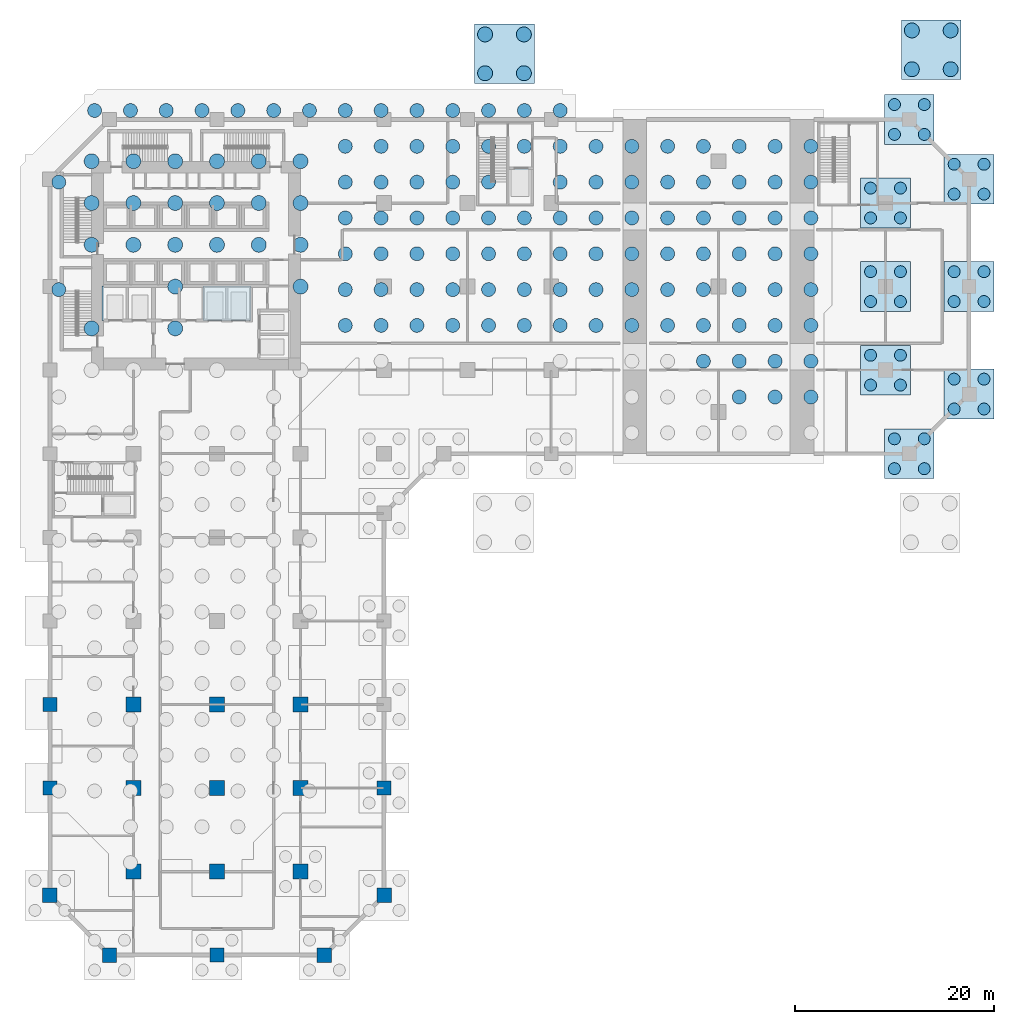
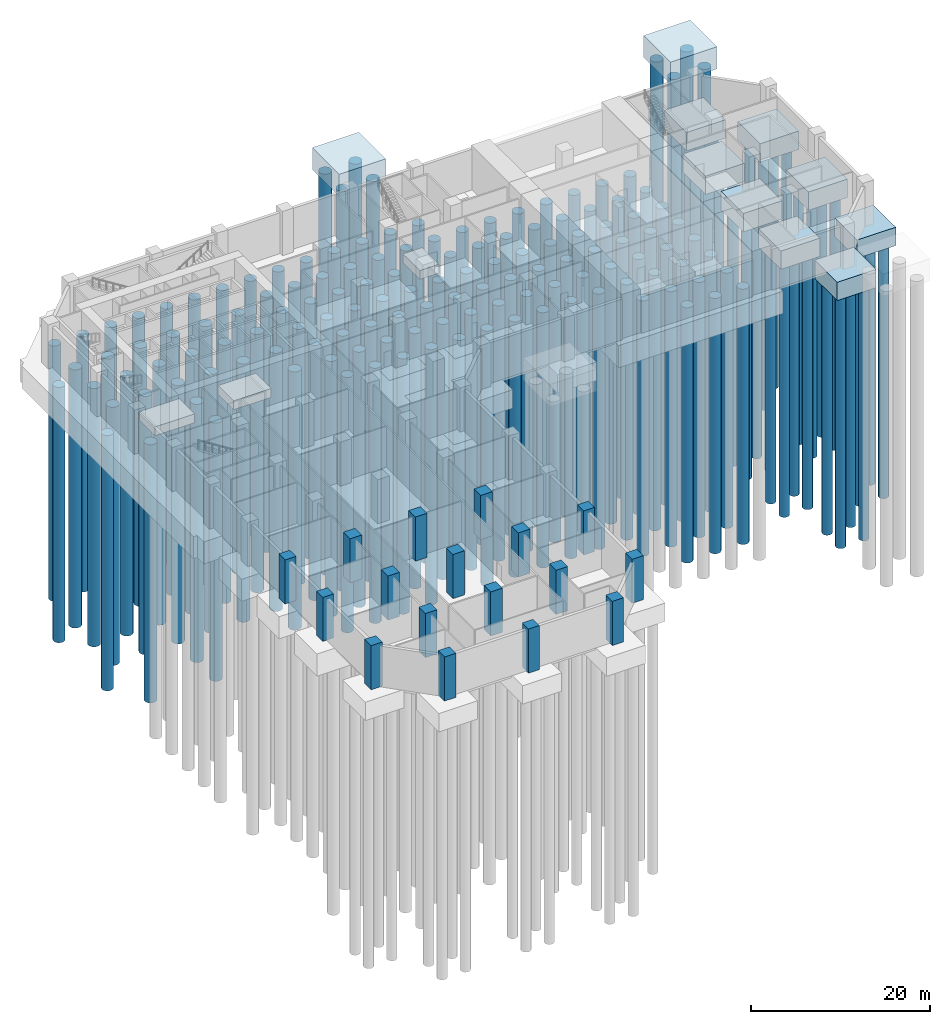
# One storey, part 2 of 13: 168 piles, 17 columns, 13 footings.
"""IFC4 building model written with IfcOpenShell, lengths in metres."""

from ifc_helpers import new_model, si_unit, direction, frame, origin, origin_2d, place, context, subcontext, project, spatial, polyline, rectangle, circle, outline, extrude, material, layer, layer_set, material_profile, profile_set, type_object, element, save


model = new_model("IFC4")

# Units and contexts
model_context = context("Model", 3, precision=1e-05, world=origin(), true_north=direction((0.0, 1.0)))
body_context = subcontext(model_context, "Body", "Model", "MODEL_VIEW")
ifc_project = project(units=[si_unit("LENGTHUNIT", "METRE"), si_unit("AREAUNIT", "SQUARE_METRE"), si_unit("VOLUMEUNIT", "CUBIC_METRE"), si_unit("PLANEANGLEUNIT", "RADIAN"), si_unit("MASSUNIT", "GRAM", prefix="KILO")], contexts=[model_context])

# Site, building, storey
site_placement = place(None, origin())
site = spatial("IfcSite", under=ifc_project, at=site_placement, CompositionType="ELEMENT")
building_placement = place(site_placement, origin())
building = spatial("IfcBuilding", under=site, at=building_placement, Name="Kawkab Arch Medical Tower", CompositionType="ELEMENT")
storey_placement = place(building_placement, frame((0.0, 0.0, -6.0)))
storey = spatial("IfcBuildingStorey", under=building, at=storey_placement, Name="B1", CompositionType="ELEMENT", Elevation=-6.0)

# Piles
ifc_material_1 = material(Name="Concrete C35/45", Category="concrete")
ifc_material_profile_1 = material_profile(ifc_material_1, circle(Radius=0.60009765625, at=origin_2d()), Name="Bored pile D1200")
ifc_profile_set_1 = profile_set([ifc_material_profile_1], Name="Concrete C35/45")
pile_type_1 = type_object("IfcPileType", Name="Bored pile D1200 C35/45", PredefinedType="BORED", material=ifc_profile_set_1)
for number, where, z_axis, x_axis, name in (
    (1, (84.89990234375, -1.5, -2.35009765625), (0.0, 0.0, -1.0), (1.0, 0.0, 0.0), "Pile 227"),
    (2, (84.89990234375, 1.5, -2.35009765625), (0.0, 0.0, -1.0), (1.0, 0.0, 0.0), "Pile 228"),
    (3, (87.89990234375, -1.5, -2.35009765625), (0.0, 0.0, -1.0), (1.0, 0.0, 0.0), "Pile 229"),
    (4, (87.89990234375, 1.5, -2.35009765625), (0.0, 0.0, -1.0), (1.0, 0.0, 0.0), "Pile 230"),
    (5, (90.89990234375, -7.5, -2.35009765625), (0.0, 0.0, -1.0), (1.0, 0.0, 0.0), "Pile 231"),
    (6, (90.89990234375, -4.5, -2.35009765625), (0.0, 0.0, -1.0), (1.0, 0.0, 0.0), "Pile 232"),
    (7, (93.89990234375, -7.5, -2.35009765625), (0.0, 0.0, -1.0), (1.0, 0.0, 0.0), "Pile 233"),
    (8, (93.89990234375, -4.5, -2.35009765625), (0.0, 0.0, -1.0), (1.0, 0.0, 0.0), "Pile 234"),
    (9, (82.5, -9.89990234375, -2.35009765625), (0.0, 0.0, -1.0), (1.0, 0.0, 0.0), "Pile 235"),
    (10, (82.5, -6.89990234375, -2.35009765625), (0.0, 0.0, -1.0), (1.0, 0.0, 0.0), "Pile 236"),
    (11, (85.5, -9.89990234375, -2.35009765625), (0.0, 0.0, -1.0), (1.0, 0.0, 0.0), "Pile 237"),
    (12, (85.5, -6.89990234375, -2.35009765625), (0.0, 0.0, -1.0), (1.0, 0.0, 0.0), "Pile 238"),
    (13, (82.5, -18.300048828125, -2.35009765625), (0.0, 0.0, -1.0), (1.0, 0.0, 0.0), "Pile 239"),
    (14, (82.5, -15.300048828125, -2.35009765625), (0.0, 0.0, -1.0), (1.0, 0.0, 0.0), "Pile 240"),
    (15, (85.5, -18.300048828125, -2.35009765625), (0.0, 0.0, -1.0), (1.0, 0.0, 0.0), "Pile 241"),
    (16, (85.5, -15.300048828125, -2.35009765625), (0.0, 0.0, -1.0), (1.0, 0.0, 0.0), "Pile 242"),
    (17, (90.89990234375, -18.300048828125, -2.35009765625), (0.0, 0.0, -1.0), (1.0, 0.0, 0.0), "Pile 243"),
    (18, (90.89990234375, -15.300048828125, -2.35009765625), (0.0, 0.0, -1.0), (1.0, 0.0, 0.0), "Pile 244"),
    (19, (93.89990234375, -18.300048828125, -2.35009765625), (0.0, 0.0, -1.0), (1.0, 0.0, 0.0), "Pile 245"),
    (20, (93.89990234375, -15.300048828125, -2.35009765625), (0.0, 0.0, -1.0), (1.0, 0.0, 0.0), "Pile 246"),
    (21, (82.5, -26.699951171875, -2.35009765625), (0.0, 0.0, -1.0), (1.0, 0.0, 0.0), "Pile 247"),
    (22, (82.5, -23.699951171875, -2.35009765625), (0.0, 0.0, -1.0), (1.0, 0.0, 0.0), "Pile 248"),
    (23, (85.5, -26.699951171875, -2.35009765625), (0.0, 0.0, -1.0), (1.0, 0.0, 0.0), "Pile 249"),
    (24, (85.5, -23.699951171875, -2.35009765625), (0.0, 0.0, -1.0), (1.0, 0.0, 0.0), "Pile 250"),
    (25, (90.89990234375, -29.10009765625, -2.35009765625), (0.0, 0.0, -1.0), (1.0, 0.0, 0.0), "Pile 251"),
    (26, (90.89990234375, -26.10009765625, -2.35009765625), (0.0, 0.0, -1.0), (1.0, 0.0, 0.0), "Pile 252"),
    (27, (93.89990234375, -29.10009765625, -2.35009765625), (0.0, 0.0, -1.0), (1.0, 0.0, 0.0), "Pile 253"),
    (28, (93.89990234375, -26.10009765625, -2.35009765625), (0.0, 0.0, -1.0), (1.0, 0.0, 0.0), "Pile 254"),
    (29, (84.89990234375, -35.10009765625, -2.35009765625), (0.0, 0.0, -1.0), (1.0, 0.0, 0.0), "Pile 267"),
    (30, (84.89990234375, -32.10009765625, -2.35009765625), (0.0, 0.0, -1.0), (1.0, 0.0, 0.0), "Pile 268"),
    (31, (87.89990234375, -35.10009765625, -2.35009765625), (0.0, 0.0, -1.0), (1.0, 0.0, 0.0), "Pile 269"),
    (32, (87.89990234375, -32.10009765625, -2.35009765625), (0.0, 0.0, -1.0), (1.0, 0.0, 0.0), "Pile 270"),
):
    element("IfcPile", number, at=place(storey_placement, frame(where, z_axis=z_axis, x_axis=x_axis)), inside=storey, type_object=pile_type_1, Name=name, PredefinedType="BORED", context=body_context, shape_type="SweptSolid", body=[
        extrude(circle(Radius=0.60009765625, at=origin_2d()), origin(), (0.0, 0.0, 1.0), 34.449951171875),
    ])
ifc_material_2 = material(Name="Concrete C35/45", Category="concrete")
ifc_material_profile_2 = material_profile(ifc_material_2, circle(Radius=0.699951171875, at=origin_2d()), Name="Bored pile D1400")
ifc_profile_set_2 = profile_set([ifc_material_profile_2], Name="Concrete C35/45")
pile_type_2 = type_object("IfcPileType", Name="Bored pile D1400 C35/45", PredefinedType="BORED", material=ifc_profile_set_2)
for number, where, z_axis, x_axis, name in (
    (33, (4.5, 0.89990234375, -2.85009765625), (0.0, 0.0, -1.0), (1.0, 0.0, 0.0), "Pile 028"),
    (34, (8.10009765625, 0.89990234375, -2.85009765625), (0.0, 0.0, -1.0), (1.0, 0.0, 0.0), "Pile 029"),
    (35, (11.699951171875, 0.89990234375, -2.85009765625), (0.0, 0.0, -1.0), (1.0, 0.0, 0.0), "Pile 030"),
    (36, (15.300048828125, 0.89990234375, -2.85009765625), (0.0, 0.0, -1.0), (1.0, 0.0, 0.0), "Pile 031"),
    (37, (18.89990234375, 0.89990234375, -2.85009765625), (0.0, 0.0, -1.0), (1.0, 0.0, 0.0), "Pile 032"),
    (38, (22.5, 0.89990234375, -2.85009765625), (0.0, 0.0, -1.0), (1.0, 0.0, 0.0), "Pile 033"),
    (39, (26.10009765625, 0.89990234375, -2.85009765625), (0.0, 0.0, -1.0), (1.0, 0.0, 0.0), "Pile 034"),
    (40, (29.699951171875, 0.89990234375, -2.85009765625), (0.0, 0.0, -1.0), (1.0, 0.0, 0.0), "Pile 035"),
    (41, (33.300048828125, 0.89990234375, -2.85009765625), (0.0, 0.0, -1.0), (1.0, 0.0, 0.0), "Pile 036"),
    (42, (36.89990234375, 0.89990234375, -2.85009765625), (0.0, 0.0, -1.0), (1.0, 0.0, 0.0), "Pile 037"),
    (43, (40.5, 0.89990234375, -2.85009765625), (0.0, 0.0, -1.0), (1.0, 0.0, 0.0), "Pile 038"),
    (44, (44.10009765625, 0.89990234375, -2.85009765625), (0.0, 0.0, -1.0), (1.0, 0.0, 0.0), "Pile 039"),
    (45, (47.699951171875, 0.89990234375, -2.85009765625), (0.0, 0.0, -1.0), (1.0, 0.0, 0.0), "Pile 040"),
    (46, (51.300048828125, 0.89990234375, -2.85009765625), (0.0, 0.0, -1.0), (1.0, 0.0, 0.0), "Pile 041"),
    (47, (29.699951171875, -2.699951171875, -2.85009765625), (0.0, 0.0, -1.0), (1.0, 0.0, 0.0), "Pile 042"),
    (48, (33.300048828125, -2.699951171875, -2.85009765625), (0.0, 0.0, -1.0), (1.0, 0.0, 0.0), "Pile 043"),
    (49, (36.89990234375, -2.699951171875, -2.85009765625), (0.0, 0.0, -1.0), (1.0, 0.0, 0.0), "Pile 044"),
    (50, (40.5, -2.699951171875, -2.85009765625), (0.0, 0.0, -1.0), (1.0, 0.0, 0.0), "Pile 045"),
    (51, (44.10009765625, -2.699951171875, -2.85009765625), (0.0, 0.0, -1.0), (1.0, 0.0, 0.0), "Pile 046"),
    (52, (47.699951171875, -2.699951171875, -2.85009765625), (0.0, 0.0, -1.0), (1.0, 0.0, 0.0), "Pile 047"),
    (53, (51.300048828125, -2.699951171875, -2.85009765625), (0.0, 0.0, -1.0), (1.0, 0.0, 0.0), "Pile 048"),
    (54, (54.89990234375, -2.699951171875, -2.85009765625), (0.0, 0.0, -1.0), (1.0, 0.0, 0.0), "Pile 049"),
    (55, (58.5, -2.699951171875, -2.85009765625), (0.0, 0.0, -1.0), (1.0, 0.0, 0.0), "Pile 050"),
    (56, (62.10009765625, -2.699951171875, -2.85009765625), (0.0, 0.0, -1.0), (1.0, 0.0, 0.0), "Pile 051"),
    (57, (65.699951171875, -2.699951171875, -2.85009765625), (0.0, 0.0, -1.0), (1.0, 0.0, 0.0), "Pile 052"),
    (58, (69.300048828125, -2.699951171875, -2.85009765625), (0.0, 0.0, -1.0), (1.0, 0.0, 0.0), "Pile 053"),
    (59, (72.89990234375, -2.699951171875, -2.85009765625), (0.0, 0.0, -1.0), (1.0, 0.0, 0.0), "Pile 054"),
    (60, (76.5, -2.699951171875, -2.85009765625), (0.0, 0.0, -1.0), (1.0, 0.0, 0.0), "Pile 055"),
    (61, (0.89990234375, -6.300048828125, -2.85009765625), (0.0, 0.0, -1.0), (1.0, 0.0, 0.0), "Pile 056"),
    (62, (29.699951171875, -6.300048828125, -2.85009765625), (0.0, 0.0, -1.0), (1.0, 0.0, 0.0), "Pile 057"),
    (63, (33.300048828125, -6.300048828125, -2.85009765625), (0.0, 0.0, -1.0), (1.0, 0.0, 0.0), "Pile 058"),
    (64, (36.89990234375, -6.300048828125, -2.85009765625), (0.0, 0.0, -1.0), (1.0, 0.0, 0.0), "Pile 059"),
    (65, (40.5, -6.300048828125, -2.85009765625), (0.0, 0.0, -1.0), (1.0, 0.0, 0.0), "Pile 060"),
    (66, (44.10009765625, -6.300048828125, -2.85009765625), (0.0, 0.0, -1.0), (1.0, 0.0, 0.0), "Pile 061"),
    (67, (51.300048828125, -6.300048828125, -2.85009765625), (0.0, 0.0, -1.0), (1.0, 0.0, 0.0), "Pile 062"),
    (68, (54.89990234375, -6.300048828125, -2.85009765625), (0.0, 0.0, -1.0), (1.0, 0.0, 0.0), "Pile 063"),
    (69, (58.5, -6.300048828125, -2.85009765625), (0.0, 0.0, -1.0), (1.0, 0.0, 0.0), "Pile 064"),
    (70, (62.10009765625, -6.300048828125, -2.85009765625), (0.0, 0.0, -1.0), (1.0, 0.0, 0.0), "Pile 065"),
    (71, (65.699951171875, -6.300048828125, -2.85009765625), (0.0, 0.0, -1.0), (1.0, 0.0, 0.0), "Pile 066"),
    (72, (69.300048828125, -6.300048828125, -2.85009765625), (0.0, 0.0, -1.0), (1.0, 0.0, 0.0), "Pile 067"),
    (73, (72.89990234375, -6.300048828125, -2.85009765625), (0.0, 0.0, -1.0), (1.0, 0.0, 0.0), "Pile 068"),
    (74, (76.5, -6.300048828125, -2.85009765625), (0.0, 0.0, -1.0), (1.0, 0.0, 0.0), "Pile 069"),
    (75, (29.699951171875, -9.89990234375, -2.85009765625), (0.0, 0.0, -1.0), (1.0, 0.0, 0.0), "Pile 070"),
    (76, (33.300048828125, -9.89990234375, -2.85009765625), (0.0, 0.0, -1.0), (1.0, 0.0, 0.0), "Pile 071"),
    (77, (36.89990234375, -9.89990234375, -2.85009765625), (0.0, 0.0, -1.0), (1.0, 0.0, 0.0), "Pile 072"),
    (78, (40.5, -9.89990234375, -2.85009765625), (0.0, 0.0, -1.0), (1.0, 0.0, 0.0), "Pile 073"),
    (79, (44.10009765625, -9.89990234375, -2.85009765625), (0.0, 0.0, -1.0), (1.0, 0.0, 0.0), "Pile 074"),
    (80, (47.699951171875, -9.89990234375, -2.85009765625), (0.0, 0.0, -1.0), (1.0, 0.0, 0.0), "Pile 075"),
    (81, (51.300048828125, -9.89990234375, -2.85009765625), (0.0, 0.0, -1.0), (1.0, 0.0, 0.0), "Pile 076"),
    (82, (54.89990234375, -9.89990234375, -2.85009765625), (0.0, 0.0, -1.0), (1.0, 0.0, 0.0), "Pile 077"),
    (83, (58.5, -9.89990234375, -2.85009765625), (0.0, 0.0, -1.0), (1.0, 0.0, 0.0), "Pile 078"),
    (84, (62.10009765625, -9.89990234375, -2.85009765625), (0.0, 0.0, -1.0), (1.0, 0.0, 0.0), "Pile 079"),
    (85, (65.699951171875, -9.89990234375, -2.85009765625), (0.0, 0.0, -1.0), (1.0, 0.0, 0.0), "Pile 080"),
    (86, (69.300048828125, -9.89990234375, -2.85009765625), (0.0, 0.0, -1.0), (1.0, 0.0, 0.0), "Pile 081"),
    (87, (72.89990234375, -9.89990234375, -2.85009765625), (0.0, 0.0, -1.0), (1.0, 0.0, 0.0), "Pile 082"),
    (88, (76.5, -9.89990234375, -2.85009765625), (0.0, 0.0, -1.0), (1.0, 0.0, 0.0), "Pile 083"),
    (89, (29.699951171875, -13.5, -2.85009765625), (0.0, 0.0, -1.0), (1.0, 0.0, 0.0), "Pile 084"),
    (90, (33.300048828125, -13.5, -2.85009765625), (0.0, 0.0, -1.0), (1.0, 0.0, 0.0), "Pile 085"),
    (91, (36.89990234375, -13.5, -2.85009765625), (0.0, 0.0, -1.0), (1.0, 0.0, 0.0), "Pile 086"),
    (92, (40.5, -13.5, -2.85009765625), (0.0, 0.0, -1.0), (1.0, 0.0, 0.0), "Pile 087"),
    (93, (44.10009765625, -13.5, -2.85009765625), (0.0, 0.0, -1.0), (1.0, 0.0, 0.0), "Pile 088"),
    (94, (47.699951171875, -13.5, -2.85009765625), (0.0, 0.0, -1.0), (1.0, 0.0, 0.0), "Pile 089"),
    (95, (51.300048828125, -13.5, -2.85009765625), (0.0, 0.0, -1.0), (1.0, 0.0, 0.0), "Pile 090"),
    (96, (54.89990234375, -13.5, -2.85009765625), (0.0, 0.0, -1.0), (1.0, 0.0, 0.0), "Pile 091"),
    (97, (58.5, -13.5, -2.85009765625), (0.0, 0.0, -1.0), (1.0, 0.0, 0.0), "Pile 092"),
    (98, (62.10009765625, -13.5, -2.85009765625), (0.0, 0.0, -1.0), (1.0, 0.0, 0.0), "Pile 093"),
    (99, (65.699951171875, -13.5, -2.85009765625), (0.0, 0.0, -1.0), (1.0, 0.0, 0.0), "Pile 094"),
    (100, (69.300048828125, -13.5, -2.85009765625), (0.0, 0.0, -1.0), (1.0, 0.0, 0.0), "Pile 095"),
    (101, (72.89990234375, -13.5, -2.85009765625), (0.0, 0.0, -1.0), (1.0, 0.0, 0.0), "Pile 096"),
    (102, (76.5, -13.5, -2.85009765625), (0.0, 0.0, -1.0), (1.0, 0.0, 0.0), "Pile 097"),
    (103, (0.89990234375, -17.10009765625, -2.85009765625), (0.0, 0.0, -1.0), (1.0, 0.0, 0.0), "Pile 098"),
    (104, (29.699951171875, -17.10009765625, -2.85009765625), (0.0, 0.0, -1.0), (1.0, 0.0, 0.0), "Pile 099"),
    (105, (33.300048828125, -17.10009765625, -2.85009765625), (0.0, 0.0, -1.0), (1.0, 0.0, 0.0), "Pile 100"),
    (106, (36.89990234375, -17.10009765625, -2.85009765625), (0.0, 0.0, -1.0), (1.0, 0.0, 0.0), "Pile 101"),
    (107, (40.5, -17.10009765625, -2.85009765625), (0.0, 0.0, -1.0), (1.0, 0.0, 0.0), "Pile 102"),
    (108, (44.10009765625, -17.10009765625, -2.85009765625), (0.0, 0.0, -1.0), (1.0, 0.0, 0.0), "Pile 103"),
    (109, (47.699951171875, -17.10009765625, -2.85009765625), (0.0, 0.0, -1.0), (1.0, 0.0, 0.0), "Pile 104"),
    (110, (51.300048828125, -17.10009765625, -2.85009765625), (0.0, 0.0, -1.0), (1.0, 0.0, 0.0), "Pile 105"),
    (111, (54.89990234375, -17.10009765625, -2.85009765625), (0.0, 0.0, -1.0), (1.0, 0.0, 0.0), "Pile 106"),
    (112, (58.5, -17.10009765625, -2.85009765625), (0.0, 0.0, -1.0), (1.0, 0.0, 0.0), "Pile 107"),
    (113, (62.10009765625, -17.10009765625, -2.85009765625), (0.0, 0.0, -1.0), (1.0, 0.0, 0.0), "Pile 108"),
    (114, (65.699951171875, -17.10009765625, -2.85009765625), (0.0, 0.0, -1.0), (1.0, 0.0, 0.0), "Pile 109"),
    (115, (69.300048828125, -17.10009765625, -2.85009765625), (0.0, 0.0, -1.0), (1.0, 0.0, 0.0), "Pile 110"),
    (116, (72.89990234375, -17.10009765625, -2.85009765625), (0.0, 0.0, -1.0), (1.0, 0.0, 0.0), "Pile 111"),
    (117, (76.5, -17.10009765625, -2.85009765625), (0.0, 0.0, -1.0), (1.0, 0.0, 0.0), "Pile 112"),
    (118, (29.699951171875, -20.699951171875, -2.85009765625), (0.0, 0.0, -1.0), (1.0, 0.0, 0.0), "Pile 113"),
    (119, (33.300048828125, -20.699951171875, -2.85009765625), (0.0, 0.0, -1.0), (1.0, 0.0, 0.0), "Pile 114"),
    (120, (36.89990234375, -20.699951171875, -2.85009765625), (0.0, 0.0, -1.0), (1.0, 0.0, 0.0), "Pile 115"),
    (121, (40.5, -20.699951171875, -2.85009765625), (0.0, 0.0, -1.0), (1.0, 0.0, 0.0), "Pile 116"),
    (122, (44.10009765625, -20.699951171875, -2.85009765625), (0.0, 0.0, -1.0), (1.0, 0.0, 0.0), "Pile 117"),
    (123, (47.699951171875, -20.699951171875, -2.85009765625), (0.0, 0.0, -1.0), (1.0, 0.0, 0.0), "Pile 118"),
    (124, (51.300048828125, -20.699951171875, -2.85009765625), (0.0, 0.0, -1.0), (1.0, 0.0, 0.0), "Pile 119"),
    (125, (54.89990234375, -20.699951171875, -2.85009765625), (0.0, 0.0, -1.0), (1.0, 0.0, 0.0), "Pile 120"),
    (126, (58.5, -20.699951171875, -2.85009765625), (0.0, 0.0, -1.0), (1.0, 0.0, 0.0), "Pile 121"),
    (127, (62.10009765625, -20.699951171875, -2.85009765625), (0.0, 0.0, -1.0), (1.0, 0.0, 0.0), "Pile 122"),
    (128, (65.699951171875, -20.699951171875, -2.85009765625), (0.0, 0.0, -1.0), (1.0, 0.0, 0.0), "Pile 123"),
    (129, (69.300048828125, -20.699951171875, -2.85009765625), (0.0, 0.0, -1.0), (1.0, 0.0, 0.0), "Pile 124"),
    (130, (72.89990234375, -20.699951171875, -2.85009765625), (0.0, 0.0, -1.0), (1.0, 0.0, 0.0), "Pile 125"),
    (131, (76.5, -20.699951171875, -2.85009765625), (0.0, 0.0, -1.0), (1.0, 0.0, 0.0), "Pile 126"),
    (132, (65.699951171875, -24.300048828125, -2.85009765625), (0.0, 0.0, -1.0), (1.0, 0.0, 0.0), "Pile 131"),
    (133, (69.300048828125, -24.300048828125, -2.85009765625), (0.0, 0.0, -1.0), (1.0, 0.0, 0.0), "Pile 132"),
    (134, (72.89990234375, -24.300048828125, -2.85009765625), (0.0, 0.0, -1.0), (1.0, 0.0, 0.0), "Pile 133"),
    (135, (76.5, -24.300048828125, -2.85009765625), (0.0, 0.0, -1.0), (1.0, 0.0, 0.0), "Pile 134"),
    (136, (69.300048828125, -27.89990234375, -2.85009765625), (0.0, 0.0, -1.0), (1.0, 0.0, 0.0), "Pile 140"),
    (137, (72.89990234375, -27.89990234375, -2.85009765625), (0.0, 0.0, -1.0), (1.0, 0.0, 0.0), "Pile 141"),
    (138, (76.5, -27.89990234375, -2.85009765625), (0.0, 0.0, -1.0), (1.0, 0.0, 0.0), "Pile 142"),
):
    element("IfcPile", number, at=place(storey_placement, frame(where, z_axis=z_axis, x_axis=x_axis)), inside=storey, type_object=pile_type_2, Name=name, PredefinedType="BORED", context=body_context, shape_type="SweptSolid", body=[
        extrude(circle(Radius=0.699951171875, at=origin_2d()), origin(), (0.0, 0.0, 1.0), 34.75),
    ])
ifc_material_3 = material(Name="Concrete C35/45", Category="concrete")
ifc_material_profile_3 = material_profile(ifc_material_3, circle(Radius=0.75, at=origin_2d()), Name="Bored pile D1500")
ifc_profile_set_3 = profile_set([ifc_material_profile_3], Name="Concrete C35/45")
pile_type_3 = type_object("IfcPileType", Name="Bored pile D1500 C35/45", PredefinedType="BORED", material=ifc_profile_set_3)
for number, where, z_axis, x_axis, name in (
    (139, (4.199951171875, -4.199951171875, -2.85009765625), (0.0, 0.0, -1.0), (1.0, 0.0, 0.0), "Pile 001"),
    (140, (8.39990234375, -4.199951171875, -2.85009765625), (0.0, 0.0, -1.0), (1.0, 0.0, 0.0), "Pile 002"),
    (141, (12.60009765625, -4.199951171875, -2.85009765625), (0.0, 0.0, -1.0), (1.0, 0.0, 0.0), "Pile 003"),
    (142, (16.800048828125, -4.199951171875, -2.85009765625), (0.0, 0.0, -1.0), (1.0, 0.0, 0.0), "Pile 004"),
    (143, (21.0, -4.199951171875, -2.85009765625), (0.0, 0.0, -1.0), (1.0, 0.0, 0.0), "Pile 005"),
    (144, (25.199951171875, -4.199951171875, -2.85009765625), (0.0, 0.0, -1.0), (1.0, 0.0, 0.0), "Pile 006"),
    (145, (4.199951171875, -8.39990234375, -2.85009765625), (0.0, 0.0, -1.0), (1.0, 0.0, 0.0), "Pile 007"),
    (146, (8.39990234375, -8.39990234375, -2.85009765625), (0.0, 0.0, -1.0), (1.0, 0.0, 0.0), "Pile 008"),
    (147, (12.60009765625, -8.39990234375, -2.85009765625), (0.0, 0.0, -1.0), (1.0, 0.0, 0.0), "Pile 009"),
    (148, (16.800048828125, -8.39990234375, -2.85009765625), (0.0, 0.0, -1.0), (1.0, 0.0, 0.0), "Pile 010"),
    (149, (21.0, -8.39990234375, -2.85009765625), (0.0, 0.0, -1.0), (1.0, 0.0, 0.0), "Pile 011"),
    (150, (25.199951171875, -8.39990234375, -2.85009765625), (0.0, 0.0, -1.0), (1.0, 0.0, 0.0), "Pile 012"),
    (151, (4.199951171875, -12.60009765625, -2.85009765625), (0.0, 0.0, -1.0), (1.0, 0.0, 0.0), "Pile 013"),
    (152, (8.39990234375, -12.60009765625, -2.85009765625), (0.0, 0.0, -1.0), (1.0, 0.0, 0.0), "Pile 014"),
    (153, (12.60009765625, -12.60009765625, -2.85009765625), (0.0, 0.0, -1.0), (1.0, 0.0, 0.0), "Pile 015"),
    (154, (16.800048828125, -12.60009765625, -2.85009765625), (0.0, 0.0, -1.0), (1.0, 0.0, 0.0), "Pile 016"),
    (155, (21.0, -12.60009765625, -2.85009765625), (0.0, 0.0, -1.0), (1.0, 0.0, 0.0), "Pile 017"),
    (156, (25.199951171875, -12.60009765625, -2.85009765625), (0.0, 0.0, -1.0), (1.0, 0.0, 0.0), "Pile 018"),
    (157, (12.60009765625, -16.800048828125, -2.85009765625), (0.0, 0.0, -1.0), (1.0, 0.0, 0.0), "Pile 019"),
    (158, (25.199951171875, -16.800048828125, -2.85009765625), (0.0, 0.0, -1.0), (1.0, 0.0, 0.0), "Pile 020"),
    (159, (4.199951171875, -21.0, -2.85009765625), (0.0, 0.0, -1.0), (1.0, 0.0, 0.0), "Pile 021"),
    (160, (12.60009765625, -21.0, -2.85009765625), (0.0, 0.0, -1.0), (1.0, 0.0, 0.0), "Pile 022"),
):
    element("IfcPile", number, at=place(storey_placement, frame(where, z_axis=z_axis, x_axis=x_axis)), inside=storey, type_object=pile_type_3, Name=name, PredefinedType="BORED", context=body_context, shape_type="SweptSolid", body=[
        extrude(circle(Radius=0.75, at=origin_2d()), origin(), (0.0, 0.0, 1.0), 35.14990234375),
    ])
for number, where, z_axis, x_axis, name in (
    (161, (43.75, 8.550048828125, 2.199951171875), (0.0, 0.0, -1.0), (1.0, 0.0, 0.0), "Portal arch pile NW-1"),
    (162, (47.64990234375, 8.550048828125, 2.199951171875), (0.0, 0.0, -1.0), (1.0, 0.0, 0.0), "Portal arch pile NW-2"),
    (163, (43.75, 4.64990234375, 2.199951171875), (0.0, 0.0, -1.0), (1.0, 0.0, 0.0), "Portal arch pile NW-3"),
    (164, (47.64990234375, 4.64990234375, 2.199951171875), (0.0, 0.0, -1.0), (1.0, 0.0, 0.0), "Portal arch pile NW-4"),
    (165, (86.64990234375, 8.949951171875, 2.199951171875), (0.0, 0.0, -1.0), (1.0, 0.0, 0.0), "Portal arch pile NE-1"),
    (166, (90.550048828125, 8.949951171875, 2.199951171875), (0.0, 0.0, -1.0), (1.0, 0.0, 0.0), "Portal arch pile NE-2"),
    (167, (86.64990234375, 5.050048828125, 2.199951171875), (0.0, 0.0, -1.0), (1.0, 0.0, 0.0), "Portal arch pile NE-3"),
    (168, (90.550048828125, 5.050048828125, 2.199951171875), (0.0, 0.0, -1.0), (1.0, 0.0, 0.0), "Portal arch pile NE-4"),
):
    element("IfcPile", number, at=place(storey_placement, frame(where, z_axis=z_axis, x_axis=x_axis)), inside=storey, type_object=pile_type_3, Name=name, PredefinedType="BORED", context=body_context, shape_type="SweptSolid", body=[
        extrude(circle(Radius=0.75, at=origin_2d()), origin(), (0.0, 0.0, 1.0), 40.199951171875),
    ])

# Footings
ifc_material_4 = material(Name="Concrete C45/55", Category="concrete")
ifc_layer_1 = layer(ifc_material_4, 2.5)
ifc_layer_set_1 = layer_set([ifc_layer_1], Name="Concrete C45/55")
footing_type_1 = type_object("IfcFootingType", Name="Pile cap 2500 C45/55", PredefinedType="PILE_CAP", material=ifc_layer_set_1)
placement_1 = place(storey_placement, frame((0.0, 0.0, -2.5)))
element("IfcFooting", 169, at=placement_1, inside=storey, type_object=footing_type_1, Name="Pile cap 01", PredefinedType="PILE_CAP", context=body_context, shape_type="SweptSolid", body=[
    extrude(outline(polyline([(88.89990234375, -2.5), (88.89990234375, 2.5), (83.89990234375, 2.5), (83.89990234375, -2.5), (88.89990234375, -2.5)])), origin(), (0.0, 0.0, 1.0), 2.5),
])
element("IfcFooting", 170, at=placement_1, inside=storey, type_object=footing_type_1, Name="Pile cap 02", PredefinedType="PILE_CAP", context=body_context, shape_type="SweptSolid", body=[
    extrude(outline(polyline([(94.89990234375, -8.5), (94.89990234375, -3.5), (89.89990234375, -3.5), (89.89990234375, -8.5), (94.89990234375, -8.5)])), origin(), (0.0, 0.0, 1.0), 2.5),
])
element("IfcFooting", 171, at=placement_1, inside=storey, type_object=footing_type_1, Name="Pile cap 03", PredefinedType="PILE_CAP", context=body_context, shape_type="SweptSolid", body=[
    extrude(outline(polyline([(86.5, -10.89990234375), (86.5, -5.89990234375), (81.5, -5.89990234375), (81.5, -10.89990234375), (86.5, -10.89990234375)])), origin(), (0.0, 0.0, 1.0), 2.5),
])
element("IfcFooting", 172, at=placement_1, inside=storey, type_object=footing_type_1, Name="Pile cap 04", PredefinedType="PILE_CAP", context=body_context, shape_type="SweptSolid", body=[
    extrude(outline(polyline([(86.5, -19.300048828125), (86.5, -14.300048828125), (81.5, -14.300048828125), (81.5, -19.300048828125), (86.5, -19.300048828125)])), origin(), (0.0, 0.0, 1.0), 2.5),
])
element("IfcFooting", 173, at=placement_1, inside=storey, type_object=footing_type_1, Name="Pile cap 05", PredefinedType="PILE_CAP", context=body_context, shape_type="SweptSolid", body=[
    extrude(outline(polyline([(94.89990234375, -19.300048828125), (94.89990234375, -14.300048828125), (89.89990234375, -14.300048828125), (89.89990234375, -19.300048828125), (94.89990234375, -19.300048828125)])), origin(), (0.0, 0.0, 1.0), 2.5),
])
element("IfcFooting", 174, at=placement_1, inside=storey, type_object=footing_type_1, Name="Pile cap 06", PredefinedType="PILE_CAP", context=body_context, shape_type="SweptSolid", body=[
    extrude(outline(polyline([(86.5, -27.699951171875), (86.5, -22.699951171875), (81.5, -22.699951171875), (81.5, -27.699951171875), (86.5, -27.699951171875)])), origin(), (0.0, 0.0, 1.0), 2.5),
])
element("IfcFooting", 175, at=placement_1, inside=storey, type_object=footing_type_1, Name="Pile cap 07", PredefinedType="PILE_CAP", context=body_context, shape_type="SweptSolid", body=[
    extrude(outline(polyline([(94.89990234375, -30.10009765625), (94.89990234375, -25.10009765625), (89.89990234375, -25.10009765625), (89.89990234375, -30.10009765625), (94.89990234375, -30.10009765625)])), origin(), (0.0, 0.0, 1.0), 2.5),
])
element("IfcFooting", 176, at=placement_1, inside=storey, type_object=footing_type_1, Name="Pile cap 11", PredefinedType="PILE_CAP", context=body_context, shape_type="SweptSolid", body=[
    extrude(outline(polyline([(88.89990234375, -36.10009765625), (88.89990234375, -31.10009765625), (83.89990234375, -31.10009765625), (83.89990234375, -36.10009765625), (88.89990234375, -36.10009765625)])), origin(), (0.0, 0.0, 1.0), 2.5),
])
ifc_material_5 = material(Name="Concrete C60/75", Category="concrete")
ifc_layer_2 = layer(ifc_material_5, 3.0)
ifc_layer_set_2 = layer_set([ifc_layer_2], Name="Concrete C60/75")
footing_type_2 = type_object("IfcFootingType", Name="Pile cap 3000 C60/75", PredefinedType="PILE_CAP", material=ifc_layer_set_2)
placement_2 = place(storey_placement, frame((0.0, 0.0, 2.050048828125)))
element("IfcFooting", 177, at=placement_2, inside=storey, type_object=footing_type_2, Name="Portal arch pile cap NW", PredefinedType="PILE_CAP", context=body_context, shape_type="SweptSolid", body=[
    extrude(outline(polyline([(48.699951171875, 3.60009765625), (48.699951171875, 9.60009765625), (42.699951171875, 9.60009765625), (42.699951171875, 3.60009765625), (48.699951171875, 3.60009765625)])), origin(), (0.0, 0.0, 1.0), 3.0),
])
element("IfcFooting", 178, at=placement_2, inside=storey, type_object=footing_type_2, Name="Portal arch pile cap NE", PredefinedType="PILE_CAP", context=body_context, shape_type="SweptSolid", body=[
    extrude(outline(polyline([(91.60009765625, 4.0), (91.60009765625, 10.0), (85.60009765625, 10.0), (85.60009765625, 4.0), (91.60009765625, 4.0)])), origin(), (0.0, 0.0, 1.0), 3.0),
])
ifc_material_6 = material(Name="Concrete C45/55", Category="concrete")
ifc_layer_3 = layer(ifc_material_6, 3.0)
ifc_layer_set_3 = layer_set([ifc_layer_3], Name="Concrete C45/55")
footing_type_3 = type_object("IfcFootingType", Name="Pit base 3000 C45/55", PredefinedType="PILE_CAP", material=ifc_layer_set_3)
placement_3 = place(storey_placement, frame((0.0, 0.0, -3.0)))
element("IfcFooting", 179, at=placement_3, inside=storey, type_object=footing_type_3, Name="Raft under lift pit 01", PredefinedType="PILE_CAP", context=body_context, shape_type="SweptSolid", body=[
    extrude(outline(polyline([(48.5, -8.64990234375), (46.0, -8.64990234375), (46.0, -4.875), (48.5, -4.875), (48.5, -8.64990234375)])), origin(), (0.0, 0.0, 1.0), 1.199951171875),
])
element("IfcFooting", 180, at=placement_3, inside=storey, type_object=footing_type_3, Name="Raft under lift pit 02", PredefinedType="PILE_CAP", context=body_context, shape_type="SweptSolid", body=[
    extrude(outline(polyline([(7.77490234375, -20.199951171875), (5.25, -20.199951171875), (5.25, -16.75), (7.77490234375, -16.75), (7.824951171875, -16.75), (10.35009765625, -16.75), (10.35009765625, -20.199951171875), (7.824951171875, -20.199951171875), (7.77490234375, -20.199951171875)])), origin(), (0.0, 0.0, 1.0), 1.199951171875),
])
element("IfcFooting", 181, at=placement_3, inside=storey, type_object=footing_type_3, Name="Raft under lift pit 03", PredefinedType="PILE_CAP", context=body_context, shape_type="SweptSolid", body=[
    extrude(outline(polyline([(17.824951171875, -16.75), (20.199951171875, -16.75), (20.199951171875, -20.199951171875), (17.824951171875, -20.199951171875), (17.77490234375, -20.199951171875), (15.375, -20.199951171875), (15.375, -16.75), (17.77490234375, -16.75), (17.824951171875, -16.75)])), origin(), (0.0, 0.0, 1.0), 1.199951171875),
])

# Columns
ifc_material_7 = material(Name="Concrete C60/75", Category="concrete")
ifc_material_profile_4 = material_profile(ifc_material_7, rectangle(XDim=1.39990234375, YDim=1.39990234375, at=origin_2d()), Name="RC 1400x1400")
ifc_profile_set_4 = profile_set([ifc_material_profile_4], Name="Concrete C60/75")
column_type_1 = type_object("IfcColumnType", Name="RC 1400x1400 column C60/75", PredefinedType="COLUMN", material=ifc_profile_set_4)
for number, where, z_axis, x_axis, name in (
    (182, (0.0, -58.800048828125, 0.0), (0.0, 0.0, 1.0), (1.0, 0.0, 0.0), "Column RC 1400x1400"),
    (183, (0.0, -67.199951171875, 0.0), (0.0, 0.0, 1.0), (1.0, 0.0, 0.0), "Column RC 1400x1400"),
    (184, (33.60009765625, -67.199951171875, 0.0), (0.0, 0.0, 1.0), (1.0, 0.0, 0.0), "Column RC 1400x1400"),
    (185, (16.800048828125, -84.0, 0.0), (0.0, 0.0, 1.0), (1.0, 0.0, 0.0), "Column RC 1400x1400"),
):
    element("IfcColumn", number, at=place(storey_placement, frame(where, z_axis=z_axis, x_axis=x_axis)), inside=storey, type_object=column_type_1, Name=name, PredefinedType="COLUMN", context=body_context, shape_type="SweptSolid", body=[
        extrude(rectangle(XDim=1.39990234375, YDim=1.39990234375, at=origin_2d()), origin(), (0.0, 0.0, 1.0), 6.0),
    ])
ifc_material_8 = material(Name="Concrete C60/75", Category="concrete")
ifc_material_profile_5 = material_profile(ifc_material_8, rectangle(XDim=1.449951171875, YDim=1.449951171875, at=origin_2d()), Name="RC 1450x1450")
ifc_profile_set_5 = profile_set([ifc_material_profile_5], Name="Concrete C60/75")
column_type_2 = type_object("IfcColumnType", Name="RC 1450x1450 column C60/75", PredefinedType="COLUMN", material=ifc_profile_set_5)
for number, where, z_axis, x_axis, name in (
    (186, (0.0, -78.0, 0.0), (0.0, 0.0, 1.0), (1.0, 0.0, 0.0), "Column RC 1450x1450"),
    (187, (33.60009765625, -78.0, 0.0), (0.0, 0.0, 1.0), (1.0, 0.0, 0.0), "Column RC 1450x1450"),
    (188, (6.0, -84.0, 0.0), (0.0, 0.0, 1.0), (1.0, 0.0, 0.0), "Column RC 1450x1450"),
    (189, (27.60009765625, -84.0, 0.0), (0.0, 0.0, 1.0), (1.0, 0.0, 0.0), "Column RC 1450x1450"),
):
    element("IfcColumn", number, at=place(storey_placement, frame(where, z_axis=z_axis, x_axis=x_axis)), inside=storey, type_object=column_type_2, Name=name, PredefinedType="COLUMN", context=body_context, shape_type="SweptSolid", body=[
        extrude(rectangle(XDim=1.449951171875, YDim=1.449951171875, at=origin_2d()), origin(), (0.0, 0.0, 1.0), 6.0),
    ])
ifc_material_9 = material(Name="Concrete C60/75", Category="concrete")
ifc_material_profile_6 = material_profile(ifc_material_9, rectangle(XDim=1.5, YDim=1.5, at=origin_2d()), Name="RC 1500x1500")
ifc_profile_set_6 = profile_set([ifc_material_profile_6], Name="Concrete C60/75")
column_type_3 = type_object("IfcColumnType", Name="RC 1500x1500 column C60/75", PredefinedType="COLUMN", material=ifc_profile_set_6)
for number, where, z_axis, x_axis, name in (
    (190, (8.39990234375, -58.800048828125, 0.0), (0.0, 0.0, 1.0), (1.0, 0.0, 0.0), "Column RC 1500x1500"),
    (191, (16.800048828125, -58.800048828125, 0.0), (0.0, 0.0, 1.0), (1.0, 0.0, 0.0), "Column RC 1500x1500"),
    (192, (25.199951171875, -58.800048828125, 0.0), (0.0, 0.0, 1.0), (1.0, 0.0, 0.0), "Column RC 1500x1500"),
    (193, (8.39990234375, -67.199951171875, 0.0), (0.0, 0.0, 1.0), (1.0, 0.0, 0.0), "Column RC 1500x1500"),
    (194, (16.800048828125, -67.199951171875, 0.0), (0.0, 0.0, 1.0), (1.0, 0.0, 0.0), "Column RC 1500x1500"),
    (195, (25.199951171875, -67.199951171875, 0.0), (0.0, 0.0, 1.0), (1.0, 0.0, 0.0), "Column RC 1500x1500"),
    (196, (8.39990234375, -75.60009765625, 0.0), (0.0, 0.0, 1.0), (1.0, 0.0, 0.0), "Column RC 1500x1500"),
    (197, (16.800048828125, -75.60009765625, 0.0), (0.0, 0.0, 1.0), (1.0, 0.0, 0.0), "Column RC 1500x1500"),
    (198, (25.199951171875, -75.60009765625, 0.0), (0.0, 0.0, 1.0), (1.0, 0.0, 0.0), "Column RC 1500x1500"),
):
    element("IfcColumn", number, at=place(storey_placement, frame(where, z_axis=z_axis, x_axis=x_axis)), inside=storey, type_object=column_type_3, Name=name, PredefinedType="COLUMN", context=body_context, shape_type="SweptSolid", body=[
        extrude(rectangle(XDim=1.5, YDim=1.5, at=origin_2d()), origin(), (0.0, 0.0, 1.0), 6.0),
    ])

save(model, "model.ifc")
